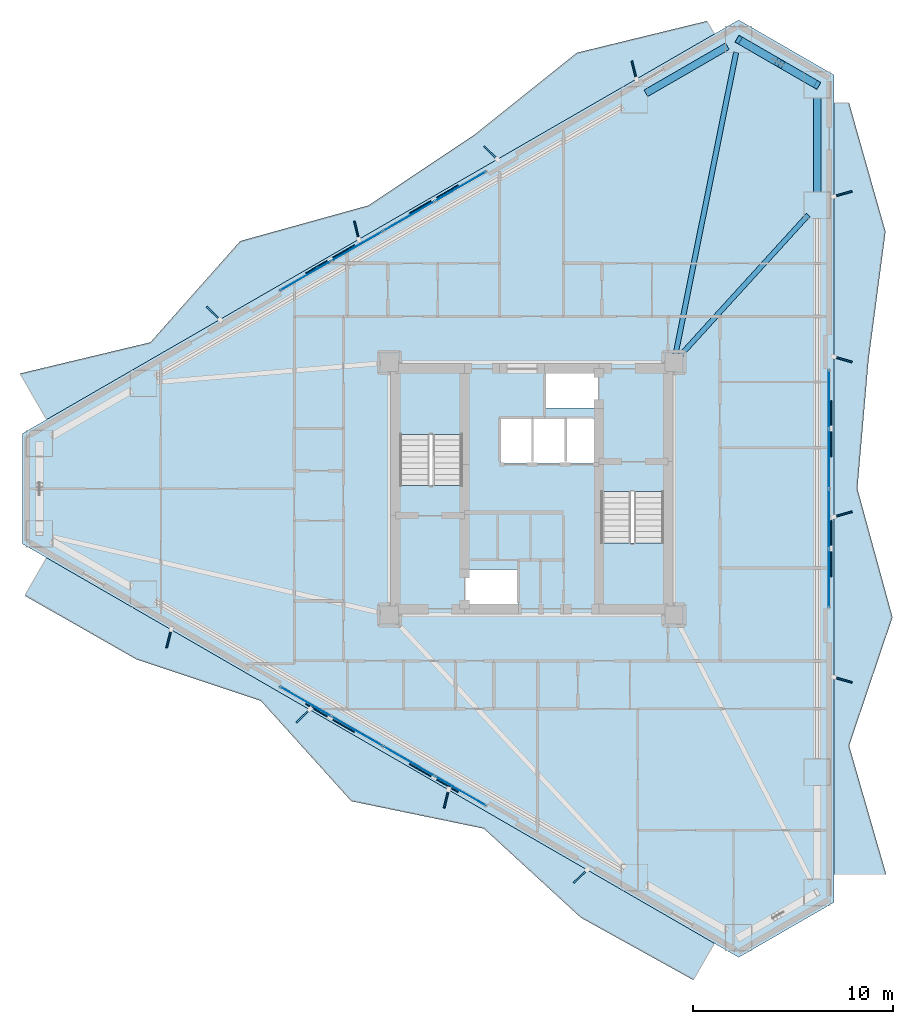
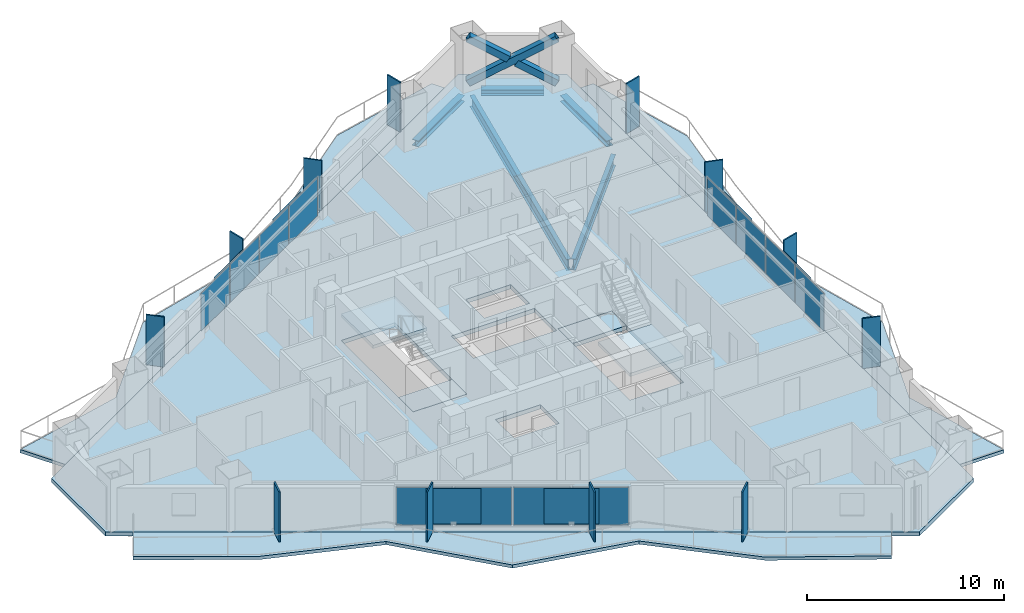
# One storey, part 10 of 19: 30 plates, 8 slabs, 5 beams, 3 members, 5 elements without a shape of their own.
"""IFC4 building model written with IfcOpenShell, lengths in metres."""

from ifc_helpers import new_model, si_unit, direction, frame, origin, origin_2d, place, context, subcontext, project, spatial, polyline, rectangle, hollow_rectangle, i_section, outline, extrude, material, layer, layer_set, material_profile, profile_set, type_object, element, aggregate, save


model = new_model("IFC4")

# Units and contexts
model_context = context("Model", 3, precision=1e-05, world=origin(), true_north=direction((0.0, 1.0)))
body_context = subcontext(model_context, "Body", "Model", "MODEL_VIEW")
ifc_project = project(units=[si_unit("LENGTHUNIT", "METRE"), si_unit("AREAUNIT", "SQUARE_METRE"), si_unit("VOLUMEUNIT", "CUBIC_METRE"), si_unit("PLANEANGLEUNIT", "RADIAN"), si_unit("MASSUNIT", "GRAM", prefix="KILO")], contexts=[model_context])

# Site, building, storey
site_placement = place(None, origin())
site = spatial("IfcSite", under=ifc_project, at=site_placement, CompositionType="ELEMENT")
building_placement = place(site_placement, origin())
building = spatial("IfcBuilding", under=site, at=building_placement, Name="Mersakhor Tower and Convention Hall", CompositionType="ELEMENT")
storey_placement = place(building_placement, frame((0.0, 0.0, 42.300048828125)))
storey = spatial("IfcBuildingStorey", under=building, at=storey_placement, Name="L11", CompositionType="ELEMENT", Elevation=42.300048828125)

# Beams
ifc_material_1 = material(Name="Steel S355", Category="steel")
ifc_material_profile_1 = material_profile(ifc_material_1, i_section(OverallWidth=0.25439453125, OverallDepth=0.6875, WebThickness=0.01318359375, FlangeThickness=0.02099609375, at=origin_2d()), Name="UB 686x254x152")
ifc_profile_set_1 = profile_set([ifc_material_profile_1], Name="Steel S355")
beam_type_1 = type_object("IfcBeamType", Name="BM-PR-686", PredefinedType="BEAM", material=ifc_profile_set_1)
beam_1_placement = place(storey_placement, frame((36.1845703125, 33.4716796875, -0.603759765625), z_axis=(0.196849718138, 0.980433673672, 0.0), x_axis=(-0.980433673672, 0.196849718138, 0.0)))
element("IfcBeam", 1, at=beam_1_placement, inside=storey, type_object=beam_type_1, Name="L11 Primary Floor Girder FG-2", PredefinedType="BEAM", context=body_context, shape_type="SweptSolid", body=[
    extrude(i_section(OverallWidth=0.25439453125, OverallDepth=0.6875, WebThickness=0.01318359375, FlangeThickness=0.02099609375, at=origin_2d()), origin(), (0.0, 0.0, 1.0), 15.359130859375),
])
beam_2_placement = place(storey_placement, frame((36.389404296875, 33.367919921875, -0.603759765625), z_axis=(0.67316322447, 0.739493930483, 0.0), x_axis=(-0.739493930483, 0.67316322447, 0.0)))
element("IfcBeam", 2, at=beam_2_placement, inside=storey, type_object=beam_type_1, Name="L11 Primary Floor Girder FG-3", PredefinedType="BEAM", context=body_context, shape_type="SweptSolid", body=[
    extrude(i_section(OverallWidth=0.25439453125, OverallDepth=0.6875, WebThickness=0.01318359375, FlangeThickness=0.02099609375, at=origin_2d()), origin(), (0.0, 0.0, 1.0), 9.53662109375),
])
ifc_material_2 = material(Name="Steel S355", Category="steel")
ifc_material_profile_2 = material_profile(ifc_material_2, i_section(OverallWidth=0.374755859375, OverallDepth=0.37451171875, WebThickness=0.0166015625, FlangeThickness=0.027099609375, at=origin_2d()), Name="UC 356x368x202")
ifc_profile_set_2 = profile_set([ifc_material_profile_2], Name="Steel S355")
beam_type_2 = type_object("IfcBeamType", Name="BM-SPD-UC356", PredefinedType="SPANDREL", material=ifc_profile_set_2)
beam_3_placement = place(storey_placement, frame((34.700439453125, 46.49560546875, -0.447265625), z_axis=(0.866031574723, 0.499989311469, 0.0), x_axis=(-0.499989311469, 0.866031574723, 0.0)))
element("IfcBeam", 3, at=beam_3_placement, inside=storey, type_object=beam_type_2, Name="L11 Perimeter Spandrel Beam SPB-03", PredefinedType="SPANDREL", context=body_context, shape_type="SweptSolid", body=[
    extrude(i_section(OverallWidth=0.374755859375, OverallDepth=0.37451171875, WebThickness=0.0166015625, FlangeThickness=0.027099609375, at=origin_2d()), origin(), (0.0, 0.0, 1.0), 4.69873046875),
])
beam_4_placement = place(storey_placement, frame((39.904052734375, 48.844970703125, -0.447265625), z_axis=(0.866038607556, -0.4999771297, 0.0), x_axis=(0.4999771297, 0.866038607556, 0.0)))
element("IfcBeam", 4, at=beam_4_placement, inside=storey, type_object=beam_type_2, Name="L11 Perimeter Spandrel Beam SPB-04", PredefinedType="SPANDREL", context=body_context, shape_type="SweptSolid", body=[
    extrude(i_section(OverallWidth=0.374755859375, OverallDepth=0.37451171875, WebThickness=0.0166015625, FlangeThickness=0.027099609375, at=origin_2d()), origin(), (0.0, 0.0, 1.0), 3.208740234375),
])
beam_5_placement = place(storey_placement, frame((43.25, 46.25830078125, -0.447265625), z_axis=(0.0, -1.0, 0.0), x_axis=(1.0, 0.0, 0.0)))
element("IfcBeam", 5, at=beam_5_placement, inside=storey, type_object=beam_type_2, Name="L11 Perimeter Spandrel Beam SPB-05", PredefinedType="SPANDREL", context=body_context, shape_type="SweptSolid", body=[
    extrude(i_section(OverallWidth=0.374755859375, OverallDepth=0.37451171875, WebThickness=0.0166015625, FlangeThickness=0.027099609375, at=origin_2d()), origin(), (0.0, 0.0, 1.0), 4.69873046875),
])

# Members
ifc_material_3 = material(Name="Steel S460", Category="steel")
ifc_material_profile_3 = material_profile(ifc_material_3, hollow_rectangle(XDim=0.39990234375, YDim=0.39990234375, WallThickness=0.02490234375, at=origin_2d()), Name="SHS 400x400x25")
ifc_profile_set_3 = profile_set([ifc_material_profile_3], Name="Steel S460")
member_type = type_object("IfcMemberType", Name="MB-BRC-SHS400", PredefinedType="BRACE", material=ifc_profile_set_3)
member_placement = place(storey_placement, frame((39.3369140625, 49.172607421875, 0.14990234375), z_axis=(0.740507772322, -0.427542982597, 0.518512523632), x_axis=(0.500009315796, 0.86602002524, 0.0)))
element("IfcMember", 6, at=member_placement, inside=storey, type_object=member_type, Name="L11 Chamfer Braced Frame Diagonal CB-1A", PredefinedType="BRACE", context=body_context, shape_type="SweptSolid", body=[
    extrude(hollow_rectangle(XDim=0.39990234375, YDim=0.39990234375, WallThickness=0.02490234375, at=origin_2d()), origin(), (0.0, 0.0, 1.0), 5.284423828125),
])
for number, where, z_axis, x_axis, name in (
    (7, (43.25, 46.913330078125, 0.14990234375), (-0.740505282886, 0.427518653602, 0.518536138413), (-0.499989236795, -0.866031617834, 0.0), "L11 Chamfer Braced Frame Diagonal CB-1B Lower Half"),
    (8, (41.12060546875, 48.142578125, 1.64111328125), (-0.740512106644, 0.427623949895, 0.518439560017), (-0.500078132948, -0.865980289006, 0.0), "L11 Chamfer Braced Frame Diagonal CB-1B Upper Half"),
):
    element("IfcMember", number, at=place(storey_placement, frame(where, z_axis=z_axis, x_axis=x_axis)), inside=storey, type_object=member_type, Name=name, PredefinedType="BRACE", context=body_context, shape_type="SweptSolid", body=[
        extrude(hollow_rectangle(XDim=0.39990234375, YDim=0.39990234375, WallThickness=0.02490234375, at=origin_2d()), origin(), (0.0, 0.0, 1.0), 2.40869140625),
    ])

# Curtain wall, plates
ifc_material_4 = material(Name="Dark solar low-E aluminium curtain wall", Category="aluminium")
ifc_layer_1 = layer(ifc_material_4, 0.159912109375)
ifc_layer_set_1 = layer_set([ifc_layer_1], Name="Dark solar low-E aluminium curtain wall")
curtain_wall_type = type_object("IfcCurtainWallType", Name="CW-SYS-01", PredefinedType="USERDEFINED", material=ifc_layer_set_1)
curtain_wall_1_placement = place(storey_placement, origin())
curtain_wall_1 = element("IfcCurtainWall", 9, at=curtain_wall_1_placement, inside=storey, type_object=curtain_wall_type, Name="L11 Dark-Glass Curtain Wall F1-B2", ObjectType="CURTAIN WALL", PredefinedType="USERDEFINED")
ifc_material_5 = material(Name="Dark solar double glazing", Category="glass")
ifc_layer_2 = layer(ifc_material_5, 0.02392578125)
ifc_layer_set_2 = layer_set([ifc_layer_2], Name="Dark solar double glazing")
plate_type_1 = type_object("IfcPlateType", Name="CWP-GLZ-24", PredefinedType="CURTAIN_PANEL", material=ifc_layer_set_2)
plate_1_placement = place(storey_placement, frame((17.702880859375, 37.375, 0.259765625), z_axis=(0.0, 0.0, 1.0), x_axis=(0.866023412558, 0.50000344889, 0.0)))
plate_1 = element("IfcPlate", 10, at=plate_1_placement, type_object=plate_type_1, Name="CW-01 panel 1.1", PredefinedType="CURTAIN_PANEL", context=body_context, shape_type="SweptSolid", body=[
    extrude(rectangle(XDim=2.880859375, YDim=0.02392578125, at=origin_2d()), origin(), (0.0, 0.0, 1.0), 2.340087890625),
])
plate_2_placement = place(storey_placement, frame((20.27880859375, 38.862060546875, 0.259765625), z_axis=(0.0, 0.0, 1.0), x_axis=(0.866023412558, 0.50000344889, 0.0)))
plate_2 = element("IfcPlate", 11, at=plate_2_placement, type_object=plate_type_1, Name="CW-01 panel 2.1", PredefinedType="CURTAIN_PANEL", context=body_context, shape_type="SweptSolid", body=[
    extrude(rectangle(XDim=2.918212890625, YDim=0.02392578125, at=origin_2d()), origin(), (0.0, 0.0, 1.0), 2.340087890625),
])
plate_3_placement = place(storey_placement, frame((22.87109375, 40.35888671875, 0.259765625), z_axis=(0.0, 0.0, 1.0), x_axis=(0.866023412558, 0.50000344889, 0.0)))
plate_3 = element("IfcPlate", 12, at=plate_3_placement, type_object=plate_type_1, Name="CW-01 panel 3.1", PredefinedType="CURTAIN_PANEL", context=body_context, shape_type="SweptSolid", body=[
    extrude(rectangle(XDim=2.918212890625, YDim=0.02392578125, at=origin_2d()), origin(), (0.0, 0.0, 1.0), 2.340087890625),
])
plate_4_placement = place(storey_placement, frame((25.447021484375, 41.84619140625, 0.259765625), z_axis=(0.0, 0.0, 1.0), x_axis=(0.866023412558, 0.50000344889, 0.0)))
plate_4 = element("IfcPlate", 13, at=plate_4_placement, type_object=plate_type_1, Name="CW-01 panel 4.1", PredefinedType="CURTAIN_PANEL", context=body_context, shape_type="SweptSolid", body=[
    extrude(rectangle(XDim=2.880859375, YDim=0.02392578125, at=origin_2d()), origin(), (0.0, 0.0, 1.0), 2.340087890625),
])
aggregate(curtain_wall_1, [plate_1, plate_2, plate_3, plate_4])

curtain_wall_2_placement = place(storey_placement, origin())
curtain_wall_2 = element("IfcCurtainWall", 14, at=curtain_wall_2_placement, inside=storey, type_object=curtain_wall_type, Name="L11 Dark-Glass Curtain Wall F2-B2", ObjectType="CURTAIN WALL", PredefinedType="USERDEFINED")
plate_5_placement = place(storey_placement, frame((43.85009765625, 31.22119140625, 0.259765625), z_axis=(0.0, 0.0, 1.0), x_axis=(0.0, -1.0, 0.0)))
plate_5 = element("IfcPlate", 15, at=plate_5_placement, type_object=plate_type_1, Name="CW-01 panel 1.1", PredefinedType="CURTAIN_PANEL", context=body_context, shape_type="SweptSolid", body=[
    extrude(rectangle(XDim=2.880859375, YDim=0.02392578125, at=origin_2d()), origin(), (0.0, 0.0, 1.0), 2.340087890625),
])
plate_6_placement = place(storey_placement, frame((43.85009765625, 28.24658203125, 0.259765625), z_axis=(0.0, 0.0, 1.0), x_axis=(0.0, -1.0, 0.0)))
plate_6 = element("IfcPlate", 16, at=plate_6_placement, type_object=plate_type_1, Name="CW-01 panel 2.1", PredefinedType="CURTAIN_PANEL", context=body_context, shape_type="SweptSolid", body=[
    extrude(rectangle(XDim=2.918212890625, YDim=0.02392578125, at=origin_2d()), origin(), (0.0, 0.0, 1.0), 2.340087890625),
])
plate_7_placement = place(storey_placement, frame((43.85009765625, 25.25341796875, 0.259765625), z_axis=(0.0, 0.0, 1.0), x_axis=(0.0, -1.0, 0.0)))
plate_7 = element("IfcPlate", 17, at=plate_7_placement, type_object=plate_type_1, Name="CW-01 panel 3.1", PredefinedType="CURTAIN_PANEL", context=body_context, shape_type="SweptSolid", body=[
    extrude(rectangle(XDim=2.918212890625, YDim=0.02392578125, at=origin_2d()), origin(), (0.0, 0.0, 1.0), 2.340087890625),
])
plate_8_placement = place(storey_placement, frame((43.85009765625, 22.27880859375, 0.259765625), z_axis=(0.0, 0.0, 1.0), x_axis=(0.0, -1.0, 0.0)))
plate_8 = element("IfcPlate", 18, at=plate_8_placement, type_object=plate_type_1, Name="CW-01 panel 4.1", PredefinedType="CURTAIN_PANEL", context=body_context, shape_type="SweptSolid", body=[
    extrude(rectangle(XDim=2.880859375, YDim=0.02392578125, at=origin_2d()), origin(), (0.0, 0.0, 1.0), 2.340087890625),
])
aggregate(curtain_wall_2, [plate_5, plate_6, plate_7, plate_8])

curtain_wall_3_placement = place(storey_placement, origin())
curtain_wall_3 = element("IfcCurtainWall", 19, at=curtain_wall_3_placement, inside=storey, type_object=curtain_wall_type, Name="L11 Dark-Glass Curtain Wall F3-B2", ObjectType="CURTAIN WALL", PredefinedType="USERDEFINED")
plate_9_placement = place(storey_placement, frame((25.447021484375, 11.65380859375, 0.259765625), z_axis=(0.0, 0.0, 1.0), x_axis=(-0.866023412558, 0.50000344889, 0.0)))
plate_9 = element("IfcPlate", 20, at=plate_9_placement, type_object=plate_type_1, Name="CW-01 panel 1.1", PredefinedType="CURTAIN_PANEL", context=body_context, shape_type="SweptSolid", body=[
    extrude(rectangle(XDim=2.880859375, YDim=0.02392578125, at=origin_2d()), origin(), (0.0, 0.0, 1.0), 2.340087890625),
])
plate_10_placement = place(storey_placement, frame((22.87109375, 13.14111328125, 0.259765625), z_axis=(0.0, 0.0, 1.0), x_axis=(-0.866023412558, 0.50000344889, 0.0)))
plate_10 = element("IfcPlate", 21, at=plate_10_placement, type_object=plate_type_1, Name="CW-01 panel 2.1", PredefinedType="CURTAIN_PANEL", context=body_context, shape_type="SweptSolid", body=[
    extrude(rectangle(XDim=2.918212890625, YDim=0.02392578125, at=origin_2d()), origin(), (0.0, 0.0, 1.0), 2.340087890625),
])
plate_11_placement = place(storey_placement, frame((20.27880859375, 14.637939453125, 0.259765625), z_axis=(0.0, 0.0, 1.0), x_axis=(-0.866023412558, 0.50000344889, 0.0)))
plate_11 = element("IfcPlate", 22, at=plate_11_placement, type_object=plate_type_1, Name="CW-01 panel 3.1", PredefinedType="CURTAIN_PANEL", context=body_context, shape_type="SweptSolid", body=[
    extrude(rectangle(XDim=2.918212890625, YDim=0.02392578125, at=origin_2d()), origin(), (0.0, 0.0, 1.0), 2.340087890625),
])
plate_12_placement = place(storey_placement, frame((17.702880859375, 16.125, 0.259765625), z_axis=(0.0, 0.0, 1.0), x_axis=(-0.866023412558, 0.50000344889, 0.0)))
plate_12 = element("IfcPlate", 23, at=plate_12_placement, type_object=plate_type_1, Name="CW-01 panel 4.1", PredefinedType="CURTAIN_PANEL", context=body_context, shape_type="SweptSolid", body=[
    extrude(rectangle(XDim=2.880859375, YDim=0.02392578125, at=origin_2d()), origin(), (0.0, 0.0, 1.0), 2.340087890625),
])
aggregate(curtain_wall_3, [plate_9, plate_10, plate_11, plate_12])

# Plates
ifc_material_6 = material(Name="Ceramic-clad aluminium Zone 1 cobalt-slate", Category="masonry")
ifc_material_7 = material(Name="Ceramic-clad aluminium Zone 1 cobalt-slate", Category="masonry")
ifc_layer_3 = layer(ifc_material_7, 0.080078125)
ifc_layer_set_3 = layer_set([ifc_layer_3], Name="Ceramic-clad aluminium Zone 1 cobalt-slate")
plate_type_2 = type_object("IfcPlateType", Name="PL-FIN-80", PredefinedType="USERDEFINED", material=ifc_layer_set_3)
for number, where, z_axis, x_axis, name in (
    (24, (13.10400390625, 35.5126953125, 0.0), (0.0, 0.0, 1.0), (-0.719339800339, 0.694658370459, 0.0), "L11 Zone 1 Coloured Brise-Soleil Fin F1-1"),
    (25, (20.259033203125, 39.6435546875, 0.0), (0.0, 0.0, 1.0), (-0.2419218956, 0.970295726276, 0.0), "L11 Zone 1 Coloured Brise-Soleil Fin F1-2"),
    (26, (26.96044921875, 43.5126953125, 0.0), (0.0, 0.0, 1.0), (-0.719339800339, 0.694658370459, 0.0), "L11 Zone 1 Coloured Brise-Soleil Fin F1-3"),
    (27, (34.115478515625, 47.6435546875, 0.0), (0.0, 0.0, 1.0), (-0.2419218956, 0.970295726276, 0.0), "L11 Zone 1 Coloured Brise-Soleil Fin F1-4"),
    (28, (44.53662109375, 41.46826171875, 0.0), (0.0, 0.0, 1.0), (0.961261695938, 0.275637355817, 0.0), "L11 Zone 1 Coloured Brise-Soleil Fin F2-1"),
    (29, (44.53662109375, 33.206298828125, 0.0), (0.0, 0.0, 1.0), (0.961261695938, -0.275637355817, 0.0), "L11 Zone 1 Coloured Brise-Soleil Fin F2-2"),
    (30, (44.53662109375, 25.46826171875, 0.0), (0.0, 0.0, 1.0), (0.961261695938, 0.275637355817, 0.0), "L11 Zone 1 Coloured Brise-Soleil Fin F2-3"),
    (31, (44.53662109375, 17.206298828125, 0.0), (0.0, 0.0, 1.0), (0.961261695938, -0.275637355817, 0.0), "L11 Zone 1 Coloured Brise-Soleil Fin F2-4"),
    (32, (31.44189453125, 7.39990234375, 0.0), (0.0, 0.0, 1.0), (-0.719339800339, -0.694658370459, 0.0), "L11 Zone 1 Coloured Brise-Soleil Fin F3-1"),
    (33, (24.740478515625, 11.26904296875, 0.0), (0.0, 0.0, 1.0), (-0.2419218956, -0.970295726276, 0.0), "L11 Zone 1 Coloured Brise-Soleil Fin F3-2"),
    (34, (17.58544921875, 15.39990234375, 0.0), (0.0, 0.0, 1.0), (-0.719339800339, -0.694658370459, 0.0), "L11 Zone 1 Coloured Brise-Soleil Fin F3-3"),
    (35, (10.884033203125, 19.26904296875, 0.0), (0.0, 0.0, 1.0), (-0.2419218956, -0.970295726276, 0.0), "L11 Zone 1 Coloured Brise-Soleil Fin F3-4"),
):
    element("IfcPlate", number, at=place(storey_placement, frame(where, z_axis=z_axis, x_axis=x_axis)), inside=storey, type_object=plate_type_2, material=ifc_material_6, Name=name, ObjectType="FIN", PredefinedType="USERDEFINED", context=body_context, shape_type="SweptSolid", body=[
        extrude(rectangle(XDim=0.949951171875, YDim=0.080078125, at=origin_2d()), origin(), (0.0, 0.0, 1.0), 3.10009765625),
    ])
ifc_material_8 = material(Name="Perforated ceramic cobogo solar screen", Category="aluminium")
ifc_layer_4 = layer(ifc_material_8, 0.055908203125)
ifc_layer_set_4 = layer_set([ifc_layer_4], Name="Perforated ceramic cobogo solar screen")
plate_type_3 = type_object("IfcPlateType", Name="PL-SCR-56", PredefinedType="USERDEFINED", material=ifc_layer_set_4)
for number, where, z_axis, x_axis, name in (
    (36, (18.933837890625, 38.19873046875, 0.39990234375), (0.0, 0.0, 1.0), (0.866025403784, 0.5, 0.0), "L11 Perforated Ceramic Solar Screen F1-1"),
    (37, (24.118408203125, 41.19189453125, 0.39990234375), (0.0, 0.0, 1.0), (0.866025403784, 0.5, 0.0), "L11 Perforated Ceramic Solar Screen F1-2"),
    (38, (43.947998046875, 29.743408203125, 0.39990234375), (0.0, 0.0, 1.0), (0.0, -1.0, 0.0), "L11 Perforated Ceramic Solar Screen F2-1"),
    (39, (43.947998046875, 23.756591796875, 0.39990234375), (0.0, 0.0, 1.0), (0.0, -1.0, 0.0), "L11 Perforated Ceramic Solar Screen F2-2"),
    (40, (24.1181640625, 12.30810546875, 0.39990234375), (0.0, 0.0, 1.0), (-0.866025403784, 0.5, 0.0), "L11 Perforated Ceramic Solar Screen F3-1"),
    (41, (18.93359375, 15.30126953125, 0.39990234375), (0.0, 0.0, 1.0), (-0.866025403784, 0.5, 0.0), "L11 Perforated Ceramic Solar Screen F3-2"),
):
    element("IfcPlate", number, at=place(storey_placement, frame(where, z_axis=z_axis, x_axis=x_axis)), inside=storey, type_object=plate_type_3, Name=name, ObjectType="SCREEN", PredefinedType="USERDEFINED", context=body_context, shape_type="SweptSolid", body=[
        extrude(rectangle(XDim=2.800048828125, YDim=0.055908203125, at=origin_2d()), origin(), (0.0, 0.0, 1.0), 2.2099609375),
    ])

# Slabs
ifc_material_9 = material(Name="Concrete C45/55", Category="concrete")
ifc_layer_5 = layer(ifc_material_9, 0.199951171875)
ifc_layer_set_5 = layer_set([ifc_layer_5], Name="Concrete C45/55")
slab_type_1 = type_object("IfcSlabType", Name="SL-BAL-200", PredefinedType="FLOOR", material=ifc_layer_set_5)
slab_1_placement = place(storey_placement, frame((0.0, 0.0, -0.199951171875)))
element("IfcSlab", 42, at=slab_1_placement, inside=storey, type_object=slab_type_1, Name="L11 Sinusoidal Balcony Slab Face 1", PredefinedType="FLOOR", context=body_context, shape_type="SweptSolid", body=[
    extrude(outline(polyline([(4.775390625, 30.199951171875), (38.12451171875, 49.4541015625), (37.74951171875, 50.103515625), (31.25390625, 48.51806640625), (26.185791015625, 44.460205078125), (20.836181640625, 40.890380859375), (14.448974609375, 39.1171875), (9.958740234375, 34.05859375), (3.44775390625, 32.499755859375), (4.775390625, 30.199951171875)])), origin(), (0.0, 0.0, 1.0), 0.199951171875),
])
slab_2_placement = place(storey_placement, frame((0.0, 0.0, -0.199951171875)))
element("IfcSlab", 43, at=slab_2_placement, inside=storey, type_object=slab_type_1, Name="L11 Sinusoidal Balcony Slab Face 2", PredefinedType="FLOOR", context=body_context, shape_type="SweptSolid", body=[
    extrude(outline(polyline([(44.10009765625, 46.00390625), (44.10009765625, 7.49609375), (46.70068359375, 7.49609375), (44.85009765625, 13.9140625), (47.016845703125, 20.33203125), (45.2626953125, 26.75), (45.819580078125, 33.16796875), (46.668212890625, 39.5859375), (44.85009765625, 46.00390625), (44.10009765625, 46.00390625)])), origin(), (0.0, 0.0, 1.0), 0.199951171875),
])
slab_3_placement = place(storey_placement, frame((0.0, 0.0, -0.199951171875)))
element("IfcSlab", 44, at=slab_3_placement, inside=storey, type_object=slab_type_1, Name="L11 Sinusoidal Balcony Slab Face 3", PredefinedType="FLOOR", context=body_context, shape_type="SweptSolid", body=[
    extrude(outline(polyline([(38.12451171875, 4.0458984375), (4.775390625, 23.300048828125), (3.682861328125, 21.407470703125), (9.256591796875, 18.225341796875), (15.47265625, 16.15576171875), (19.989990234375, 11.144287109375), (26.61083984375, 9.77587890625), (31.45361328125, 5.32763671875), (37.06787109375, 2.2158203125), (38.12451171875, 4.0458984375)])), origin(), (0.0, 0.0, 1.0), 0.199951171875),
])
ifc_material_10 = material(Name="Concrete C45/55", Category="concrete")
ifc_layer_6 = layer(ifc_material_10, 0.260009765625)
ifc_layer_set_6 = layer_set([ifc_layer_6], Name="Concrete C45/55")
slab_type_2 = type_object("IfcSlabType", Name="SL-FLR-260", PredefinedType="FLOOR", material=ifc_layer_set_6)
slab_4_placement = place(storey_placement, frame((0.0, 0.0, -0.260009765625)))
element("IfcSlab", 45, at=slab_4_placement, inside=storey, type_object=slab_type_2, Name="L11 ST-1 Structural Stair Floor Landing", PredefinedType="LANDING", context=body_context, shape_type="SweptSolid", body=[
    extrude(outline(polyline([(25.550048828125, 25.39990234375), (25.550048828125, 26.89990234375), (22.39990234375, 26.89990234375), (22.39990234375, 25.39990234375), (25.550048828125, 25.39990234375)])), origin(), (0.0, 0.0, 1.0), 0.260009765625),
])
slab_5_placement = place(storey_placement, frame((0.0, 0.0, -0.260009765625)))
element("IfcSlab", 46, at=slab_5_placement, inside=storey, type_object=slab_type_2, Name="L11 ST-2 Structural Stair Floor Landing", PredefinedType="LANDING", context=body_context, shape_type="SweptSolid", body=[
    extrude(outline(polyline([(32.449951171875, 28.10009765625), (32.449951171875, 26.60009765625), (35.60009765625, 26.60009765625), (35.60009765625, 28.10009765625), (32.449951171875, 28.10009765625)])), origin(), (0.0, 0.0, 1.0), 0.260009765625),
])
slab_6_placement = place(storey_placement, frame((0.0, 0.0, -0.260009765625)))
element("IfcSlab", 47, at=slab_6_placement, inside=storey, type_object=slab_type_2, Name="Tower L11 Structural Floor Slab", PredefinedType="FLOOR", context=body_context, shape_type="SweptSolid", body=[
    extrude(outline(polyline([(3.56298828125, 29.5), (39.3369140625, 50.154052734375), (44.10009765625, 47.404052734375), (44.10009765625, 6.095947265625), (39.3369140625, 3.345947265625), (3.56298828125, 24.0), (3.56298828125, 29.5)]), holes=[polyline([(25.550048828125, 25.39990234375), (25.550048828125, 32.699951171875), (22.39990234375, 32.699951171875), (22.39990234375, 25.39990234375), (25.550048828125, 25.39990234375)]), polyline([(32.449951171875, 28.10009765625), (32.449951171875, 20.800048828125), (35.60009765625, 20.800048828125), (35.60009765625, 28.10009765625), (32.449951171875, 28.10009765625)]), polyline([(25.679931640625, 20.820068359375), (25.679931640625, 22.719970703125), (28.320068359375, 22.719970703125), (28.320068359375, 20.820068359375), (25.679931640625, 20.820068359375)]), polyline([(29.679931640625, 30.780029296875), (29.679931640625, 32.679931640625), (32.320068359375, 32.679931640625), (32.320068359375, 30.780029296875), (29.679931640625, 30.780029296875)]), polyline([(27.429931640625, 28.0), (27.429931640625, 30.25), (32.320068359375, 30.25), (32.320068359375, 28.0), (27.429931640625, 28.0)])]), origin(), (0.0, 0.0, 1.0), 0.260009765625),
])

# Stair, slab
ifc_material_11 = material(Name="Concrete C45/55", Category="concrete")
stair_type = type_object("IfcStairType", Name="ST-TWR-20R", PredefinedType="HALF_TURN_STAIR", material=ifc_material_11)
stair_1_placement = place(storey_placement, origin())
stair_1 = element("IfcStair", 48, at=stair_1_placement, inside=storey, type_object=stair_type, Name="L11 Tower Protected Exit Stair ST-1", PredefinedType="HALF_TURN_STAIR")
ifc_material_12 = material(Name="Concrete C45/55", Category="concrete")
ifc_layer_7 = layer(ifc_material_12, 0.199951171875)
ifc_layer_set_7 = layer_set([ifc_layer_7], Name="Concrete C45/55")
slab_type_3 = type_object("IfcSlabType", Name="SL-LAND-200", PredefinedType="LANDING", material=ifc_layer_set_7)
slab_7_placement = place(storey_placement, frame((0.0, 0.0, 1.449951171875)))
slab_7 = element("IfcSlab", 49, at=slab_7_placement, type_object=slab_type_3, Name="ST-1 landing 1", PredefinedType="LANDING", context=body_context, shape_type="SweptSolid", body=[
    extrude(outline(polyline([(25.550048828125, 29.465087890625), (25.550048828125, 32.699951171875), (22.39990234375, 32.699951171875), (22.39990234375, 29.465087890625), (25.550048828125, 29.465087890625)])), origin(), (0.0, 0.0, 1.0), 0.199951171875),
])
aggregate(stair_1, [slab_7])

stair_2_placement = place(storey_placement, origin())
stair_2 = element("IfcStair", 50, at=stair_2_placement, inside=storey, type_object=stair_type, Name="L11 Tower Protected Exit Stair ST-2", PredefinedType="HALF_TURN_STAIR")
slab_8_placement = place(storey_placement, frame((0.0, 0.0, 1.449951171875)))
slab_8 = element("IfcSlab", 51, at=slab_8_placement, type_object=slab_type_3, Name="ST-2 landing 1", PredefinedType="LANDING", context=body_context, shape_type="SweptSolid", body=[
    extrude(outline(polyline([(32.449951171875, 24.034912109375), (32.449951171875, 20.800048828125), (35.60009765625, 20.800048828125), (35.60009765625, 24.034912109375), (32.449951171875, 24.034912109375)])), origin(), (0.0, 0.0, 1.0), 0.199951171875),
])
aggregate(stair_2, [slab_8])

save(model, "model.ifc")
